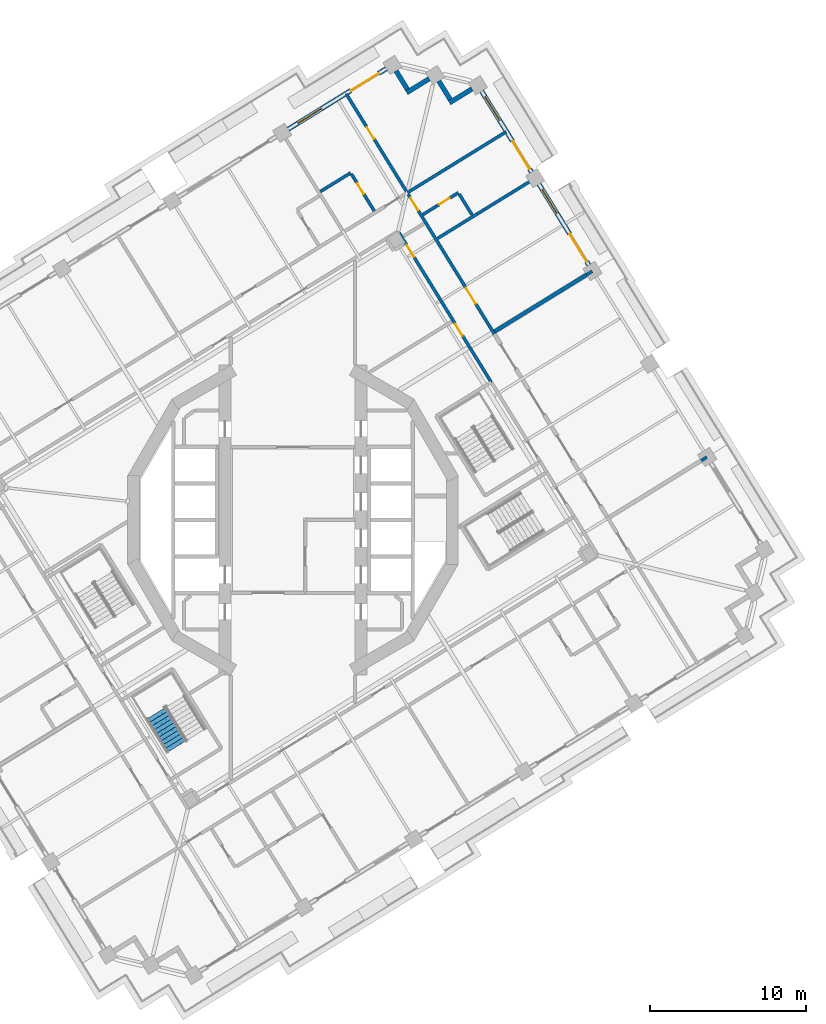
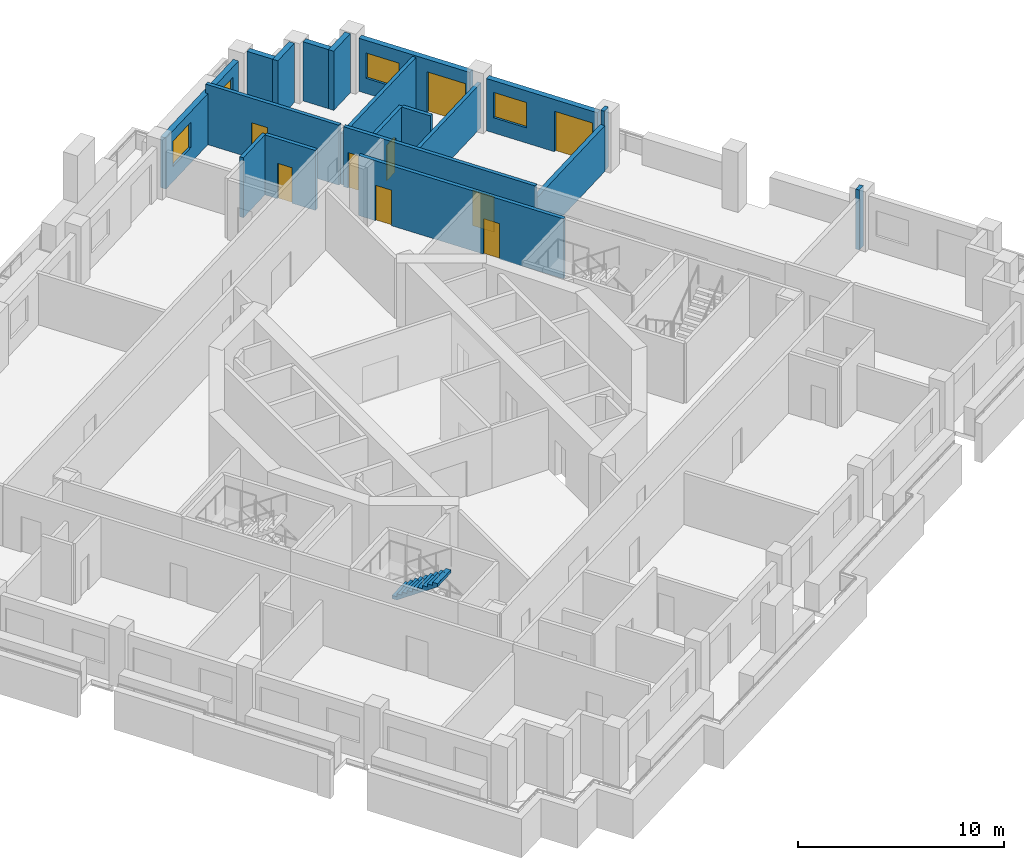
# One storey, part 9 of 20: 19 walls, 10 doors, 3 windows, 1 stair flight, 13 openings, 1 element without a shape of its own.
"""IFC4 building model written with IfcOpenShell, lengths in metres."""

from ifc_helpers import new_model, si_unit, direction, frame, frame_2d, origin, place, context, subcontext, project, spatial, polyline, rectangle, outline, extrude, material, layer, layer_set, type_object, element, fill, aggregate, save


model = new_model("IFC4")

# Units and contexts
model_context = context("Model", 3, precision=1e-05, world=origin(), true_north=direction((0.0, 1.0)))
body_context = subcontext(model_context, "Body", "Model", "MODEL_VIEW")
ifc_project = project(units=[si_unit("LENGTHUNIT", "METRE"), si_unit("AREAUNIT", "SQUARE_METRE"), si_unit("VOLUMEUNIT", "CUBIC_METRE"), si_unit("PLANEANGLEUNIT", "RADIAN"), si_unit("MASSUNIT", "GRAM", prefix="KILO")], contexts=[model_context])

# Site, building, storey
site_placement = place(None, origin())
site = spatial("IfcSite", under=ifc_project, at=site_placement, CompositionType="ELEMENT")
building_placement = place(site_placement, origin())
building = spatial("IfcBuilding", under=site, at=building_placement, Name="Cantera Rosa Tower", CompositionType="ELEMENT")
storey_placement = place(building_placement, frame((0.0, 0.0, 181.800048828125)))
storey = spatial("IfcBuildingStorey", under=building, at=storey_placement, Name="L40", CompositionType="ELEMENT", Elevation=181.800048828125)

# Wall, openings, doors
ifc_material_1 = material(Name="Gypsum board partition")
ifc_layer_1 = layer(ifc_material_1, 0.199951171875)
ifc_layer_set_1 = layer_set([ifc_layer_1], Name="CORRIDOR WALL 200 H3550")
wall_type_1 = type_object("IfcWallType", Name="CORRIDOR WALL 200 H3550", PredefinedType="PARTITIONING", material=ifc_layer_set_1)
wall_1_placement = place(storey_placement, frame((12.74560546875, 8.861328125, 0.0), z_axis=(0.0, 0.0, 1.0), x_axis=(-0.524983574612, 0.851112358263, 0.0)))
wall_1 = element("IfcWall", 1, at=wall_1_placement, inside=storey, type_object=wall_type_1, Name="CORRIDOR WALL L40-097", PredefinedType="PARTITIONING", context=body_context, shape_type="SweptSolid", body=[
    extrude(rectangle(XDim=11.279296875, YDim=0.199951171875, at=frame_2d((5.6396484375, 0.0))), origin(), (0.0, 0.0, 1.0), 3.550048828125),
])
opening_1_placement = place(wall_1_placement, frame((3.501708984375, 0.0, 0.0)))
opening_1 = element("IfcOpeningElement", 2, at=opening_1_placement, cuts=wall_1, Name="Opening L40-005", PredefinedType="OPENING", context=body_context, shape_type="SweptSolid", body=[
    extrude(rectangle(XDim=0.89990234375, YDim=2.10009765625, at=frame_2d((0.449951171875, 1.050048828125))), frame((0.0, 0.10986328125, 0.0), z_axis=(0.0, -1.0, 0.0), x_axis=(1.0, 0.0, 0.0)), (0.0, 0.0, 1.0), 0.219970703125),
])
opening_2_placement = place(wall_1_placement, frame((9.44921875, 0.0, 0.0)))
opening_2 = element("IfcOpeningElement", 3, at=opening_2_placement, cuts=wall_1, Name="Opening L40-006", PredefinedType="OPENING", context=body_context, shape_type="SweptSolid", body=[
    extrude(rectangle(XDim=0.89990234375, YDim=2.10009765625, at=frame_2d((0.449951171875, 1.050048828125))), frame((0.0, 0.10986328125, 0.0), z_axis=(0.0, -1.0, 0.0), x_axis=(1.0, 0.0, 0.0)), (0.0, 0.0, 1.0), 0.219970703125),
])
ifc_material_2 = material(Name="Timber door leaf", Category="wood")
door_type_1 = type_object("IfcDoorType", Name="SERVICE DOOR 900x2100", OperationType="NOTDEFINED", PredefinedType="DOOR", material=ifc_material_2)
door_1_placement = place(opening_1_placement, origin())
door_1 = element("IfcDoor", 4, at=door_1_placement, inside=storey, type_object=door_type_1, Name="DOOR L40-005", OperationType="NOTDEFINED", OverallHeight=2.10009765625, OverallWidth=0.89990234375, PredefinedType="DOOR", context=body_context, shape_type="SweptSolid", body=[
    extrude(rectangle(XDim=0.89990234375, YDim=2.10009765625, at=frame_2d((0.449951171875, 1.050048828125))), frame((0.0, 0.02490234375, 0.0), z_axis=(0.0, -1.0, 0.0), x_axis=(1.0, 0.0, 0.0)), (0.0, 0.0, 1.0), 0.050048828125),
])
fill(opening_1, door_1)
door_2_placement = place(opening_2_placement, origin())
door_2 = element("IfcDoor", 5, at=door_2_placement, inside=storey, type_object=door_type_1, Name="DOOR L40-006", OperationType="NOTDEFINED", OverallHeight=2.10009765625, OverallWidth=0.89990234375, PredefinedType="DOOR", context=body_context, shape_type="SweptSolid", body=[
    extrude(rectangle(XDim=0.89990234375, YDim=2.10009765625, at=frame_2d((0.449951171875, 1.050048828125))), frame((0.0, 0.02490234375, 0.0), z_axis=(0.0, -1.0, 0.0), x_axis=(1.0, 0.0, 0.0)), (0.0, 0.0, 1.0), 0.050048828125),
])
fill(opening_2, door_2)

wall_2_placement = place(storey_placement, frame((12.947265625, 11.963134765625, 0.0), z_axis=(0.0, 0.0, 1.0), x_axis=(-0.524974245297, 0.851118112705, 0.0)))
wall_2 = element("IfcWall", 6, at=wall_2_placement, inside=storey, type_object=wall_type_1, Name="CORRIDOR WALL L40-113", PredefinedType="PARTITIONING", context=body_context, shape_type="SweptSolid", body=[
    extrude(rectangle(XDim=10.545166015625, YDim=0.199951171875, at=frame_2d((5.2724609375, 0.0))), origin(), (0.0, 0.0, 1.0), 3.550048828125),
])
opening_3_placement = place(wall_2_placement, frame((2.284912109375, 0.0, 0.0)))
opening_3 = element("IfcOpeningElement", 7, at=opening_3_placement, cuts=wall_2, Name="Opening L40-020", PredefinedType="OPENING", context=body_context, shape_type="SweptSolid", body=[
    extrude(rectangle(XDim=1.199951171875, YDim=2.10009765625, at=frame_2d((0.60009765625, 1.050048828125))), frame((0.0, 0.10986328125, 0.0), z_axis=(0.0, -1.0, 0.0), x_axis=(1.0, 0.0, 0.0)), (0.0, 0.0, 1.0), 0.219970703125),
])
opening_4_placement = place(wall_2_placement, frame((9.330078125, 0.0, 0.0)))
opening_4 = element("IfcOpeningElement", 8, at=opening_4_placement, cuts=wall_2, Name="Opening L40-021", PredefinedType="OPENING", context=body_context, shape_type="SweptSolid", body=[
    extrude(rectangle(XDim=0.949951171875, YDim=2.10009765625, at=frame_2d((0.47509765625, 1.050048828125))), frame((0.0, 0.10986328125, 0.0), z_axis=(0.0, -1.0, 0.0), x_axis=(1.0, 0.0, 0.0)), (0.0, 0.0, 1.0), 0.219970703125),
])
ifc_material_3 = material(Name="Timber door leaf", Category="wood")
door_type_2 = type_object("IfcDoorType", Name="ROOM DOOR 1200x2100", OperationType="NOTDEFINED", PredefinedType="DOOR", material=ifc_material_3)
door_3_placement = place(opening_3_placement, origin())
door_3 = element("IfcDoor", 9, at=door_3_placement, inside=storey, type_object=door_type_2, Name="DOOR L40-020", OperationType="NOTDEFINED", OverallHeight=2.10009765625, OverallWidth=1.199951171875, PredefinedType="DOOR", context=body_context, shape_type="SweptSolid", body=[
    extrude(rectangle(XDim=1.199951171875, YDim=2.10009765625, at=frame_2d((0.60009765625, 1.050048828125))), frame((0.0, 0.02490234375, 0.0), z_axis=(0.0, -1.0, 0.0), x_axis=(1.0, 0.0, 0.0)), (0.0, 0.0, 1.0), 0.050048828125),
])
fill(opening_3, door_3)
ifc_material_4 = material(Name="Timber door leaf", Category="wood")
door_type_3 = type_object("IfcDoorType", Name="ROOM DOOR 950x2100", OperationType="NOTDEFINED", PredefinedType="DOOR", material=ifc_material_4)
door_4_placement = place(opening_4_placement, origin())
door_4 = element("IfcDoor", 10, at=door_4_placement, inside=storey, type_object=door_type_3, Name="DOOR L40-021", OperationType="NOTDEFINED", OverallHeight=2.10009765625, OverallWidth=0.949951171875, PredefinedType="DOOR", context=body_context, shape_type="SweptSolid", body=[
    extrude(rectangle(XDim=0.949951171875, YDim=2.10009765625, at=frame_2d((0.47509765625, 1.050048828125))), frame((0.0, 0.02490234375, 0.0), z_axis=(0.0, -1.0, 0.0), x_axis=(1.0, 0.0, 0.0)), (0.0, 0.0, 1.0), 0.050048828125),
])
fill(opening_4, door_4)

# Walls
ifc_material_5 = material(Name="Hollow clay masonry with cantera stone cladding", Category="masonry")
ifc_layer_2 = layer(ifc_material_5, 0.300048828125)
ifc_layer_set_2 = layer_set([ifc_layer_2], Name="EW-LOGGIA 300")
wall_type_2 = type_object("IfcWallType", Name="EW-LOGGIA 300", PredefinedType="SOLIDWALL", material=ifc_layer_set_2)
wall_3_placement = place(storey_placement, frame((11.51123046875, 27.72021484375, 0.0), z_axis=(0.0, 0.0, 1.0), x_axis=(-0.851130227454, -0.524954603669, 0.0)))
element("IfcWall", 11, at=wall_3_placement, inside=storey, type_object=wall_type_2, Name="EN-L40-W06a", PredefinedType="SOLIDWALL", context=body_context, shape_type="SweptSolid", body=[
    extrude(rectangle(XDim=1.699951171875, YDim=0.300048828125, at=frame_2d((0.85009765625, 0.0))), origin(), (0.0, 0.0, 1.0), 3.5),
])
wall_4_placement = place(storey_placement, frame((10.11328125, 27.0341796875, 0.0), z_axis=(0.0, 0.0, 1.0), x_axis=(-0.524895019961, 0.85116697423, 0.0)))
element("IfcWall", 12, at=wall_4_placement, inside=storey, type_object=wall_type_2, Name="EN-L40-W06b", PredefinedType="SOLIDWALL", context=body_context, shape_type="SweptSolid", body=[
    extrude(rectangle(XDim=1.39990234375, YDim=0.300048828125, at=frame_2d((0.699951171875, 0.0))), origin(), (0.0, 0.0, 1.0), 3.5),
])
wall_5_placement = place(storey_placement, frame((8.75927734375, 28.37255859375, 0.0), z_axis=(0.0, 0.0, 1.0), x_axis=(-0.851105638601, -0.524994468487, 0.0)))
element("IfcWall", 13, at=wall_5_placement, inside=storey, type_object=wall_type_2, Name="EN-L40-W07a", PredefinedType="SOLIDWALL", context=body_context, shape_type="SweptSolid", body=[
    extrude(rectangle(XDim=1.7001953125, YDim=0.300048828125, at=frame_2d((0.85009765625, 0.0))), origin(), (0.0, 0.0, 1.0), 3.5),
])
wall_6_placement = place(storey_placement, frame((7.361083984375, 27.6865234375, 0.0), z_axis=(0.0, 0.0, 1.0), x_axis=(-0.524895019961, 0.85116697423, 0.0)))
element("IfcWall", 14, at=wall_6_placement, inside=storey, type_object=wall_type_2, Name="EN-L40-W07b", PredefinedType="SOLIDWALL", context=body_context, shape_type="SweptSolid", body=[
    extrude(rectangle(XDim=1.39990234375, YDim=0.300048828125, at=frame_2d((0.699951171875, 0.0))), origin(), (0.0, 0.0, 1.0), 3.5),
])

# Wall, openings, window, door
ifc_material_6 = material(Name="Hollow clay masonry with cantera stone cladding", Category="masonry")
ifc_layer_3 = layer(ifc_material_6, 0.300048828125)
ifc_layer_set_3 = layer_set([ifc_layer_3], Name="EW-LOGGIA 300 H3020")
wall_type_3 = type_object("IfcWallType", Name="EW-LOGGIA 300 H3020", PredefinedType="SOLIDWALL", material=ifc_layer_set_3)
wall_7_placement = place(storey_placement, frame((6.007080078125, 29.02490234375, 0.0), z_axis=(0.0, 0.0, 1.0), x_axis=(-0.851111085575, -0.524985637909, 0.0)))
wall_7 = element("IfcWall", 15, at=wall_7_placement, inside=storey, type_object=wall_type_3, Name="EN-L40-W08", PredefinedType="SOLIDWALL", context=body_context, shape_type="SweptSolid", body=[
    extrude(rectangle(XDim=7.420166015625, YDim=0.300048828125, at=frame_2d((3.7099609375, 0.0))), origin(), (0.0, 0.0, 1.0), 3.02001953125),
])
opening_5_placement = place(wall_7_placement, frame((0.580078125, 0.0, 0.0)))
opening_5 = element("IfcOpeningElement", 16, at=opening_5_placement, cuts=wall_7, Name="Opening L40-TD07", PredefinedType="OPENING", context=body_context, shape_type="SweptSolid", body=[
    extrude(rectangle(XDim=2.10009765625, YDim=2.39990234375, at=frame_2d((1.050048828125, 1.199951171875))), frame((0.0, 0.159912109375, 0.0), z_axis=(0.0, -1.0, 0.0), x_axis=(1.0, 0.0, 0.0)), (0.0, 0.0, 1.0), 0.320068359375),
])
opening_6_placement = place(wall_7_placement, frame((4.889892578125, 0.0, 0.89990234375)))
opening_6 = element("IfcOpeningElement", 17, at=opening_6_placement, cuts=wall_7, Name="Opening L40-W08", PredefinedType="OPENING", context=body_context, shape_type="SweptSolid", body=[
    extrude(rectangle(XDim=1.800048828125, YDim=1.5, at=frame_2d((0.89990234375, 0.75))), frame((0.0, 0.159912109375, 0.0), z_axis=(0.0, -1.0, 0.0), x_axis=(1.0, 0.0, 0.0)), (0.0, 0.0, 1.0), 0.320068359375),
])
ifc_material_7 = material(Name="Aluminium frame with clear glass", Category="aluminium")
window_type = type_object("IfcWindowType", Name="Hotel room window 1800x1500", PartitioningType="DOUBLE_PANEL_VERTICAL", PredefinedType="WINDOW", material=ifc_material_7)
window_1_placement = place(opening_6_placement, origin())
window_1 = element("IfcWindow", 18, at=window_1_placement, inside=storey, type_object=window_type, Name="WINDOW L40-W08", OverallHeight=1.5, OverallWidth=1.800048828125, PartitioningType="SINGLE_PANEL", PredefinedType="WINDOW", context=body_context, shape_type="SweptSolid", body=[
    extrude(rectangle(XDim=1.800048828125, YDim=1.5, at=frame_2d((0.89990234375, 0.75))), frame((0.0, 0.030029296875, 0.0), z_axis=(0.0, -1.0, 0.0), x_axis=(1.0, 0.0, 0.0)), (0.0, 0.0, 1.0), 0.06005859375),
])
fill(opening_6, window_1)
ifc_material_8 = material(Name="Aluminium frame with clear glass", Category="aluminium")
door_type_4 = type_object("IfcDoorType", Name="TD-H 2100x2400", OperationType="NOTDEFINED", PredefinedType="DOOR", material=ifc_material_8)
door_5_placement = place(opening_5_placement, origin())
door_5 = element("IfcDoor", 19, at=door_5_placement, inside=storey, type_object=door_type_4, Name="LOGGIA DOOR L40-TD07", OperationType="SLIDING_TO_LEFT", OverallHeight=2.39990234375, OverallWidth=2.10009765625, PredefinedType="DOOR", context=body_context, shape_type="SweptSolid", body=[
    extrude(rectangle(XDim=2.10009765625, YDim=2.39990234375, at=frame_2d((1.050048828125, 1.199951171875))), frame((0.0, 0.02490234375, 0.0), z_axis=(0.0, -1.0, 0.0), x_axis=(1.0, 0.0, 0.0)), (0.0, 0.0, 1.0), 0.050048828125),
])
fill(opening_5, door_5)

ifc_material_9 = material(Name="Hollow clay masonry with cantera stone cladding", Category="masonry")
ifc_layer_4 = layer(ifc_material_9, 0.300048828125)
ifc_layer_set_4 = layer_set([ifc_layer_4], Name="EW-LOGGIA 300 H3090")
wall_type_4 = type_object("IfcWallType", Name="EW-LOGGIA 300 H3090", PredefinedType="SOLIDWALL", material=ifc_layer_set_4)
wall_8_placement = place(storey_placement, frame((19.02880859375, 16.389892578125, 0.0), z_axis=(0.0, 0.0, 1.0), x_axis=(-0.524987447654, 0.851109969279, 0.0)))
wall_8 = element("IfcWall", 20, at=wall_8_placement, inside=storey, type_object=wall_type_4, Name="EN-L40-W04", PredefinedType="SOLIDWALL", context=body_context, shape_type="SweptSolid", body=[
    extrude(rectangle(XDim=6.119873046875, YDim=0.300048828125, at=frame_2d((3.06005859375, 0.0))), origin(), (0.0, 0.0, 1.0), 3.08984375),
])
opening_7_placement = place(wall_8_placement, frame((0.2548828125, 0.0, 0.0)))
opening_7 = element("IfcOpeningElement", 21, at=opening_7_placement, cuts=wall_8, Name="Opening L40-TD03", PredefinedType="OPENING", context=body_context, shape_type="SweptSolid", body=[
    extrude(rectangle(XDim=2.10009765625, YDim=2.39990234375, at=frame_2d((1.050048828125, 1.199951171875))), frame((0.0, 0.159912109375, 0.0), z_axis=(0.0, -1.0, 0.0), x_axis=(1.0, 0.0, 0.0)), (0.0, 0.0, 1.0), 0.320068359375),
])
opening_8_placement = place(wall_8_placement, frame((3.9150390625, 0.0, 0.89990234375)))
opening_8 = element("IfcOpeningElement", 22, at=opening_8_placement, cuts=wall_8, Name="Opening L40-W04", PredefinedType="OPENING", context=body_context, shape_type="SweptSolid", body=[
    extrude(rectangle(XDim=1.800048828125, YDim=1.5, at=frame_2d((0.89990234375, 0.75))), frame((0.0, 0.159912109375, 0.0), z_axis=(0.0, -1.0, 0.0), x_axis=(1.0, 0.0, 0.0)), (0.0, 0.0, 1.0), 0.320068359375),
])
window_2_placement = place(opening_8_placement, origin())
window_2 = element("IfcWindow", 23, at=window_2_placement, inside=storey, type_object=window_type, Name="WINDOW L40-W04", OverallHeight=1.5, OverallWidth=1.800048828125, PartitioningType="SINGLE_PANEL", PredefinedType="WINDOW", context=body_context, shape_type="SweptSolid", body=[
    extrude(rectangle(XDim=1.800048828125, YDim=1.5, at=frame_2d((0.89990234375, 0.75))), frame((0.0, 0.030029296875, 0.0), z_axis=(0.0, -1.0, 0.0), x_axis=(1.0, 0.0, 0.0)), (0.0, 0.0, 1.0), 0.06005859375),
])
fill(opening_8, window_2)
door_6_placement = place(opening_7_placement, origin())
door_6 = element("IfcDoor", 24, at=door_6_placement, inside=storey, type_object=door_type_4, Name="LOGGIA DOOR L40-TD03", OperationType="SLIDING_TO_LEFT", OverallHeight=2.39990234375, OverallWidth=2.10009765625, PredefinedType="DOOR", context=body_context, shape_type="SweptSolid", body=[
    extrude(rectangle(XDim=2.10009765625, YDim=2.39990234375, at=frame_2d((1.050048828125, 1.199951171875))), frame((0.0, 0.02490234375, 0.0), z_axis=(0.0, -1.0, 0.0), x_axis=(1.0, 0.0, 0.0)), (0.0, 0.0, 1.0), 0.050048828125),
])
fill(opening_7, door_6)

ifc_material_10 = material(Name="Hollow clay masonry with cantera stone cladding", Category="masonry")
ifc_layer_5 = layer(ifc_material_10, 0.300048828125)
ifc_layer_set_5 = layer_set([ifc_layer_5], Name="EW-LOGGIA 300 H3140")
wall_type_5 = type_object("IfcWallType", Name="EW-LOGGIA 300 H3140", PredefinedType="SOLIDWALL", material=ifc_layer_set_5)
wall_9_placement = place(storey_placement, frame((15.343505859375, 22.36474609375, 0.0), z_axis=(0.0, 0.0, 1.0), x_axis=(-0.524987447654, 0.851109969279, 0.0)))
wall_9 = element("IfcWall", 25, at=wall_9_placement, inside=storey, type_object=wall_type_5, Name="EN-L40-W05", PredefinedType="SOLIDWALL", context=body_context, shape_type="SweptSolid", body=[
    extrude(rectangle(XDim=6.119873046875, YDim=0.300048828125, at=frame_2d((3.06005859375, 0.0))), origin(), (0.0, 0.0, 1.0), 3.139892578125),
])
opening_9_placement = place(wall_9_placement, frame((0.2548828125, 0.0, 0.0)))
opening_9 = element("IfcOpeningElement", 26, at=opening_9_placement, cuts=wall_9, Name="Opening L40-TD05", PredefinedType="OPENING", context=body_context, shape_type="SweptSolid", body=[
    extrude(rectangle(XDim=2.10009765625, YDim=2.39990234375, at=frame_2d((1.050048828125, 1.199951171875))), frame((0.0, 0.159912109375, 0.0), z_axis=(0.0, -1.0, 0.0), x_axis=(1.0, 0.0, 0.0)), (0.0, 0.0, 1.0), 0.320068359375),
])
opening_10_placement = place(wall_9_placement, frame((3.9150390625, 0.0, 0.89990234375)))
opening_10 = element("IfcOpeningElement", 27, at=opening_10_placement, cuts=wall_9, Name="Opening L40-W06", PredefinedType="OPENING", context=body_context, shape_type="SweptSolid", body=[
    extrude(rectangle(XDim=1.800048828125, YDim=1.5, at=frame_2d((0.89990234375, 0.75))), frame((0.0, 0.159912109375, 0.0), z_axis=(0.0, -1.0, 0.0), x_axis=(1.0, 0.0, 0.0)), (0.0, 0.0, 1.0), 0.320068359375),
])
window_3_placement = place(opening_10_placement, origin())
window_3 = element("IfcWindow", 28, at=window_3_placement, inside=storey, type_object=window_type, Name="WINDOW L40-W06", OverallHeight=1.5, OverallWidth=1.800048828125, PartitioningType="SINGLE_PANEL", PredefinedType="WINDOW", context=body_context, shape_type="SweptSolid", body=[
    extrude(rectangle(XDim=1.800048828125, YDim=1.5, at=frame_2d((0.89990234375, 0.75))), frame((0.0, 0.030029296875, 0.0), z_axis=(0.0, -1.0, 0.0), x_axis=(1.0, 0.0, 0.0)), (0.0, 0.0, 1.0), 0.06005859375),
])
fill(opening_10, window_3)
door_7_placement = place(opening_9_placement, origin())
door_7 = element("IfcDoor", 29, at=door_7_placement, inside=storey, type_object=door_type_4, Name="LOGGIA DOOR L40-TD05", OperationType="SLIDING_TO_LEFT", OverallHeight=2.39990234375, OverallWidth=2.10009765625, PredefinedType="DOOR", context=body_context, shape_type="SweptSolid", body=[
    extrude(rectangle(XDim=2.10009765625, YDim=2.39990234375, at=frame_2d((1.050048828125, 1.199951171875))), frame((0.0, 0.02490234375, 0.0), z_axis=(0.0, -1.0, 0.0), x_axis=(1.0, 0.0, 0.0)), (0.0, 0.0, 1.0), 0.050048828125),
])
fill(opening_9, door_7)

# Walls
ifc_material_11 = material(Name="Concrete C40/50", Category="concrete")
ifc_layer_6 = layer(ifc_material_11, 0.25)
ifc_layer_set_6 = layer_set([ifc_layer_6], Name="EW-POCKET CHEEK 250 H2710")
wall_type_6 = type_object("IfcWallType", Name="EW-POCKET CHEEK 250 H2710", PredefinedType="SOLIDWALL", material=ifc_layer_set_6)
wall_10_placement = place(storey_placement, frame((18.882080078125, 15.7705078125, 0.0), z_axis=(0.0, 0.0, 1.0), x_axis=(-0.851127184208, -0.524959537777, 0.0)))
element("IfcWall", 30, at=wall_10_placement, inside=storey, type_object=wall_type_6, Name="POCKET CHEEK B L40", PredefinedType="SOLIDWALL", context=body_context, shape_type="SweptSolid", body=[
    extrude(rectangle(XDim=6.949951171875, YDim=0.25, at=frame_2d((3.47509765625, 0.0))), origin(), (0.0, 0.0, 1.0), 2.7099609375),
])
ifc_material_12 = material(Name="Gypsum board partition")
ifc_layer_7 = layer(ifc_material_12, 0.199951171875)
ifc_layer_set_7 = layer_set([ifc_layer_7], Name="PARTITION 200 H3550")
wall_type_7 = type_object("IfcWallType", Name="PARTITION 200 H3550", PredefinedType="PARTITIONING", material=ifc_layer_set_7)
wall_11_placement = place(storey_placement, frame((1.756103515625, 21.11572265625, 0.0), z_axis=(0.0, 0.0, 1.0), x_axis=(0.851125818006, 0.524961752819, 0.0)))
element("IfcWall", 31, at=wall_11_placement, inside=storey, type_object=wall_type_7, Name="PARTITION L40-060", PredefinedType="PARTITIONING", context=body_context, shape_type="SweptSolid", body=[
    extrude(rectangle(XDim=2.30029296875, YDim=0.199951171875, at=frame_2d((1.150146484375, 0.0))), origin(), (0.0, 0.0, 1.0), 3.550048828125),
])

# Wall, opening, door
wall_12_placement = place(storey_placement, frame((3.766357421875, 22.238037109375, 0.0), z_axis=(0.0, 0.0, 1.0), x_axis=(0.524944908618, -0.851136207029, 0.0)))
wall_12 = element("IfcWall", 32, at=wall_12_placement, inside=storey, type_object=wall_type_7, Name="PARTITION L40-063", PredefinedType="PARTITIONING", context=body_context, shape_type="SweptSolid", body=[
    extrude(rectangle(XDim=2.77978515625, YDim=0.199951171875, at=frame_2d((1.389892578125, 0.0))), origin(), (0.0, 0.0, 1.0), 3.550048828125),
])
opening_11_placement = place(wall_12_placement, frame((0.699951171875, 0.0, 0.0)))
opening_11 = element("IfcOpeningElement", 33, at=opening_11_placement, cuts=wall_12, Name="Opening L40-028", PredefinedType="OPENING", context=body_context, shape_type="SweptSolid", body=[
    extrude(rectangle(XDim=0.800048828125, YDim=2.10009765625, at=frame_2d((0.39990234375, 1.050048828125))), frame((0.0, 0.10986328125, 0.0), z_axis=(0.0, -1.0, 0.0), x_axis=(1.0, 0.0, 0.0)), (0.0, 0.0, 1.0), 0.219970703125),
])
ifc_material_13 = material(Name="Timber door leaf", Category="wood")
door_type_5 = type_object("IfcDoorType", Name="BATHROOM DOOR 800x2100", OperationType="NOTDEFINED", PredefinedType="DOOR", material=ifc_material_13)
door_8_placement = place(opening_11_placement, origin())
door_8 = element("IfcDoor", 34, at=door_8_placement, inside=storey, type_object=door_type_5, Name="DOOR L40-028", OperationType="NOTDEFINED", OverallHeight=2.10009765625, OverallWidth=0.800048828125, PredefinedType="DOOR", context=body_context, shape_type="SweptSolid", body=[
    extrude(rectangle(XDim=0.800048828125, YDim=2.10009765625, at=frame_2d((0.39990234375, 1.050048828125))), frame((0.0, 0.02490234375, 0.0), z_axis=(0.0, -1.0, 0.0), x_axis=(1.0, 0.0, 0.0)), (0.0, 0.0, 1.0), 0.050048828125),
])
fill(opening_11, door_8)

wall_13_placement = place(storey_placement, frame((7.285400390625, 21.142333984375, 0.0), z_axis=(0.0, 0.0, 1.0), x_axis=(-0.524973728225, 0.851118431638, 0.0)))
wall_13 = element("IfcWall", 35, at=wall_13_placement, inside=storey, type_object=wall_type_7, Name="PARTITION L40-080", PredefinedType="PARTITIONING", context=body_context, shape_type="SweptSolid", body=[
    extrude(rectangle(XDim=7.35009765625, YDim=0.199951171875, at=frame_2d((3.675048828125, 0.0))), origin(), (0.0, 0.0, 1.0), 3.550048828125),
])
opening_12_placement = place(wall_13_placement, frame((3.929931640625, 0.0, 0.0)))
opening_12 = element("IfcOpeningElement", 36, at=opening_12_placement, cuts=wall_13, Name="Opening L40-029", PredefinedType="OPENING", context=body_context, shape_type="SweptSolid", body=[
    extrude(rectangle(XDim=0.89990234375, YDim=2.10009765625, at=frame_2d((0.449951171875, 1.050048828125))), frame((0.0, 0.10986328125, 0.0), z_axis=(0.0, -1.0, 0.0), x_axis=(1.0, 0.0, 0.0)), (0.0, 0.0, 1.0), 0.219970703125),
])
ifc_material_14 = material(Name="Timber door leaf", Category="wood")
door_type_6 = type_object("IfcDoorType", Name="ROOM DOOR 900x2100", OperationType="NOTDEFINED", PredefinedType="DOOR", material=ifc_material_14)
door_9_placement = place(opening_12_placement, origin())
door_9 = element("IfcDoor", 37, at=door_9_placement, inside=storey, type_object=door_type_6, Name="DOOR L40-029", OperationType="NOTDEFINED", OverallHeight=2.10009765625, OverallWidth=0.89990234375, PredefinedType="DOOR", context=body_context, shape_type="SweptSolid", body=[
    extrude(rectangle(XDim=0.89990234375, YDim=2.10009765625, at=frame_2d((0.449951171875, 1.050048828125))), frame((0.0, 0.02490234375, 0.0), z_axis=(0.0, -1.0, 0.0), x_axis=(1.0, 0.0, 0.0)), (0.0, 0.0, 1.0), 0.050048828125),
])
fill(opening_12, door_9)

wall_14_placement = place(storey_placement, frame((8.353515625, 19.639404296875, 0.0), z_axis=(0.0, 0.0, 1.0), x_axis=(0.851110493934, 0.524986597082, 0.0)))
wall_14 = element("IfcWall", 38, at=wall_14_placement, inside=storey, type_object=wall_type_7, Name="PARTITION L40-088", PredefinedType="PARTITIONING", context=body_context, shape_type="SweptSolid", body=[
    extrude(rectangle(XDim=2.679931640625, YDim=0.199951171875, at=frame_2d((1.33984375, 0.0))), origin(), (0.0, 0.0, 1.0), 3.550048828125),
])
opening_13_placement = place(wall_14_placement, frame((1.216064453125, 0.0, 0.0)))
opening_13 = element("IfcOpeningElement", 39, at=opening_13_placement, cuts=wall_14, Name="Opening L40-022", PredefinedType="OPENING", context=body_context, shape_type="SweptSolid", body=[
    extrude(rectangle(XDim=0.800048828125, YDim=2.10009765625, at=frame_2d((0.39990234375, 1.050048828125))), frame((0.0, 0.10986328125, 0.0), z_axis=(0.0, -1.0, 0.0), x_axis=(1.0, 0.0, 0.0)), (0.0, 0.0, 1.0), 0.219970703125),
])
door_10_placement = place(opening_13_placement, origin())
door_10 = element("IfcDoor", 40, at=door_10_placement, inside=storey, type_object=door_type_5, Name="DOOR L40-022", OperationType="NOTDEFINED", OverallHeight=2.10009765625, OverallWidth=0.800048828125, PredefinedType="DOOR", context=body_context, shape_type="SweptSolid", body=[
    extrude(rectangle(XDim=0.800048828125, YDim=2.10009765625, at=frame_2d((0.39990234375, 1.050048828125))), frame((0.0, 0.02490234375, 0.0), z_axis=(0.0, -1.0, 0.0), x_axis=(1.0, 0.0, 0.0)), (0.0, 0.0, 1.0), 0.050048828125),
])
fill(opening_13, door_10)

# Walls
wall_15_placement = place(storey_placement, frame((10.68701171875, 20.961181640625, 0.0), z_axis=(0.0, 0.0, 1.0), x_axis=(0.52493348414, -0.851143253059, 0.0)))
element("IfcWall", 41, at=wall_15_placement, inside=storey, type_object=wall_type_7, Name="PARTITION L40-092", PredefinedType="PARTITIONING", context=body_context, shape_type="SweptSolid", body=[
    extrude(rectangle(XDim=1.579833984375, YDim=0.199951171875, at=frame_2d((0.7900390625, 0.0))), origin(), (0.0, 0.0, 1.0), 3.550048828125),
])
for number, where, z_axis, x_axis, name in (
    (42, (19.239501953125, 15.9912109375, 0.0), (0.0, 0.0, 1.0), (-0.85085913097, -0.525393889615, 0.0), "PARTITION L40-107"),
    (43, (26.252685546875, 3.82080078125, 0.0), (0.0, 0.0, 1.0), (0.85085913097, 0.525393889615, 0.0), "PARTITION L40-110"),
):
    element("IfcWall", number, at=place(storey_placement, frame(where, z_axis=z_axis, x_axis=x_axis)), inside=storey, type_object=wall_type_7, Name=name, PredefinedType="PARTITIONING", context=body_context, shape_type="SweptSolid", body=[
        extrude(rectangle(XDim=0.420166015625, YDim=0.199951171875, at=frame_2d((0.2099609375, 0.0))), origin(), (0.0, 0.0, 1.0), 3.550048828125),
    ])
ifc_material_15 = material(Name="Gypsum board partition")
ifc_layer_8 = layer(ifc_material_15, 0.199951171875)
ifc_layer_set_8 = layer_set([ifc_layer_8], Name="PARTY WALL 200 H2650")
wall_type_8 = type_object("IfcWallType", Name="PARTY WALL 200 H2650", PredefinedType="PARTITIONING", material=ifc_layer_set_8)
wall_16_placement = place(storey_placement, frame((9.29833984375, 18.107421875, 0.0), z_axis=(0.0, 0.0, 1.0), x_axis=(0.851133272812, 0.524949666075, 0.0)))
element("IfcWall", 44, at=wall_16_placement, inside=storey, type_object=wall_type_8, Name="PARTY WALL L40-090", PredefinedType="PARTITIONING", context=body_context, shape_type="SweptSolid", body=[
    extrude(rectangle(XDim=7.35009765625, YDim=0.199951171875, at=frame_2d((3.675048828125, 0.0))), origin(), (0.0, 0.0, 1.0), 2.64990234375),
])
ifc_material_16 = material(Name="Gypsum board partition")
ifc_layer_9 = layer(ifc_material_16, 0.199951171875)
ifc_layer_set_9 = layer_set([ifc_layer_9], Name="PARTY WALL 200 H3050")
wall_type_9 = type_object("IfcWallType", Name="PARTY WALL 200 H3050", PredefinedType="PARTITIONING", material=ifc_layer_set_9)
wall_17_placement = place(storey_placement, frame((7.365478515625, 21.05078125, 0.0), z_axis=(0.0, 0.0, 1.0), x_axis=(0.851113277303, 0.524982084645, 0.0)))
element("IfcWall", 45, at=wall_17_placement, inside=storey, type_object=wall_type_9, Name="PARTY WALL L40-081", PredefinedType="PARTITIONING", context=body_context, shape_type="SweptSolid", body=[
    extrude(rectangle(XDim=7.449951171875, YDim=0.199951171875, at=frame_2d((3.72509765625, 0.0))), origin(), (0.0, 0.0, 1.0), 3.050048828125),
])

# Stair, stair flight
ifc_material_17 = material(Name="Concrete C35/45", Category="concrete")
stair_type = type_object("IfcStairType", Name="EXIT STAIR 1350 DOGLEG", PredefinedType="HALF_TURN_STAIR", material=ifc_material_17)
stair_placement = place(storey_placement, origin())
stair = element("IfcStair", 46, at=stair_placement, inside=storey, type_object=stair_type, Name="L40 ST-33", PredefinedType="HALF_TURN_STAIR")
ifc_material_18 = material(Name="Concrete C35/45", Category="concrete")
stair_flight_type = type_object("IfcStairFlightType", Name="STAIR FLIGHT 1350 R20x190", PredefinedType="STRAIGHT", material=ifc_material_18)
stair_flight_placement = place(storey_placement, frame((-8.826416015625, -12.4404296875, 1.89990234375), z_axis=(0.0, 0.0, 1.0), x_axis=(0.524976585286, -0.851116669383, 0.0)))
stair_flight = element("IfcStairFlight", 47, at=stair_flight_placement, type_object=stair_flight_type, Name="ST-33 flight 2", NumberOfRisers=10, NumberOfTreads=9, PredefinedType="STRAIGHT", RiserHeight=0.19, TreadLength=0.28, context=body_context, shape_type="SweptSolid", body=[
    extrude(outline(polyline([(0.0, 0.0), (0.0, 0.18994140625), (0.280029296875, 0.18994140625), (0.280029296875, 0.3798828125), (0.56005859375, 0.3798828125), (0.56005859375, 0.570068359375), (0.840087890625, 0.570068359375), (0.840087890625, 0.760009765625), (1.1201171875, 0.760009765625), (1.1201171875, 0.949951171875), (1.39990234375, 0.949951171875), (1.39990234375, 1.139892578125), (1.679931640625, 1.139892578125), (1.679931640625, 1.330078125), (1.9599609375, 1.330078125), (1.9599609375, 1.52001953125), (2.239990234375, 1.52001953125), (2.239990234375, 1.7099609375), (2.52001953125, 1.7099609375), (2.52001953125, 1.89990234375), (2.52001953125, 1.52880859375), (0.266845703125, 0.0), (0.0, 0.0)])), frame((0.0, 0.675048828125, 0.0), z_axis=(0.0, -1.0, 0.0), x_axis=(1.0, 0.0, 0.0)), (0.0, 0.0, 1.0), 0.3359375),
    extrude(outline(polyline([(0.0, 0.0), (0.0, 0.18994140625), (0.280029296875, 0.18994140625), (0.280029296875, 0.3798828125), (0.56005859375, 0.3798828125), (0.56005859375, 0.570068359375), (0.840087890625, 0.570068359375), (0.840087890625, 0.760009765625), (1.1201171875, 0.760009765625), (1.1201171875, 0.949951171875), (1.39990234375, 0.949951171875), (1.39990234375, 1.139892578125), (1.679931640625, 1.139892578125), (1.679931640625, 1.330078125), (1.9599609375, 1.330078125), (1.9599609375, 1.52001953125), (2.239990234375, 1.52001953125), (2.239990234375, 1.7099609375), (2.52001953125, 1.7099609375), (2.52001953125, 1.89990234375), (2.52001953125, 1.52880859375), (0.266845703125, 0.0), (0.0, 0.0)])), frame((0.0, 0.337158203125, 0.0), z_axis=(0.0, -1.0, 0.0), x_axis=(1.0, 0.0, 0.0)), (0.0, 0.0, 1.0), 0.3359375),
    extrude(outline(polyline([(0.0, 0.0), (0.0, 0.18994140625), (0.280029296875, 0.18994140625), (0.280029296875, 0.3798828125), (0.56005859375, 0.3798828125), (0.56005859375, 0.570068359375), (0.840087890625, 0.570068359375), (0.840087890625, 0.760009765625), (1.1201171875, 0.760009765625), (1.1201171875, 0.949951171875), (1.39990234375, 0.949951171875), (1.39990234375, 1.139892578125), (1.679931640625, 1.139892578125), (1.679931640625, 1.330078125), (1.9599609375, 1.330078125), (1.9599609375, 1.52001953125), (2.239990234375, 1.52001953125), (2.239990234375, 1.7099609375), (2.52001953125, 1.7099609375), (2.52001953125, 1.89990234375), (2.52001953125, 1.52880859375), (0.266845703125, 0.0), (0.0, 0.0)])), frame((0.0, -0.000732421875, 0.0), z_axis=(0.0, -1.0, 0.0), x_axis=(1.0, 0.0, 0.0)), (0.0, 0.0, 1.0), 0.3359375),
    extrude(outline(polyline([(0.0, 0.0), (0.0, 0.18994140625), (0.280029296875, 0.18994140625), (0.280029296875, 0.3798828125), (0.56005859375, 0.3798828125), (0.56005859375, 0.570068359375), (0.840087890625, 0.570068359375), (0.840087890625, 0.760009765625), (1.1201171875, 0.760009765625), (1.1201171875, 0.949951171875), (1.39990234375, 0.949951171875), (1.39990234375, 1.139892578125), (1.679931640625, 1.139892578125), (1.679931640625, 1.330078125), (1.9599609375, 1.330078125), (1.9599609375, 1.52001953125), (2.239990234375, 1.52001953125), (2.239990234375, 1.7099609375), (2.52001953125, 1.7099609375), (2.52001953125, 1.89990234375), (2.52001953125, 1.52880859375), (0.266845703125, 0.0), (0.0, 0.0)])), frame((0.0, -0.338623046875, 0.0), z_axis=(0.0, -1.0, 0.0), x_axis=(1.0, 0.0, 0.0)), (0.0, 0.0, 1.0), 0.3359375),
])
aggregate(stair, [stair_flight])

save(model, "model.ifc")
